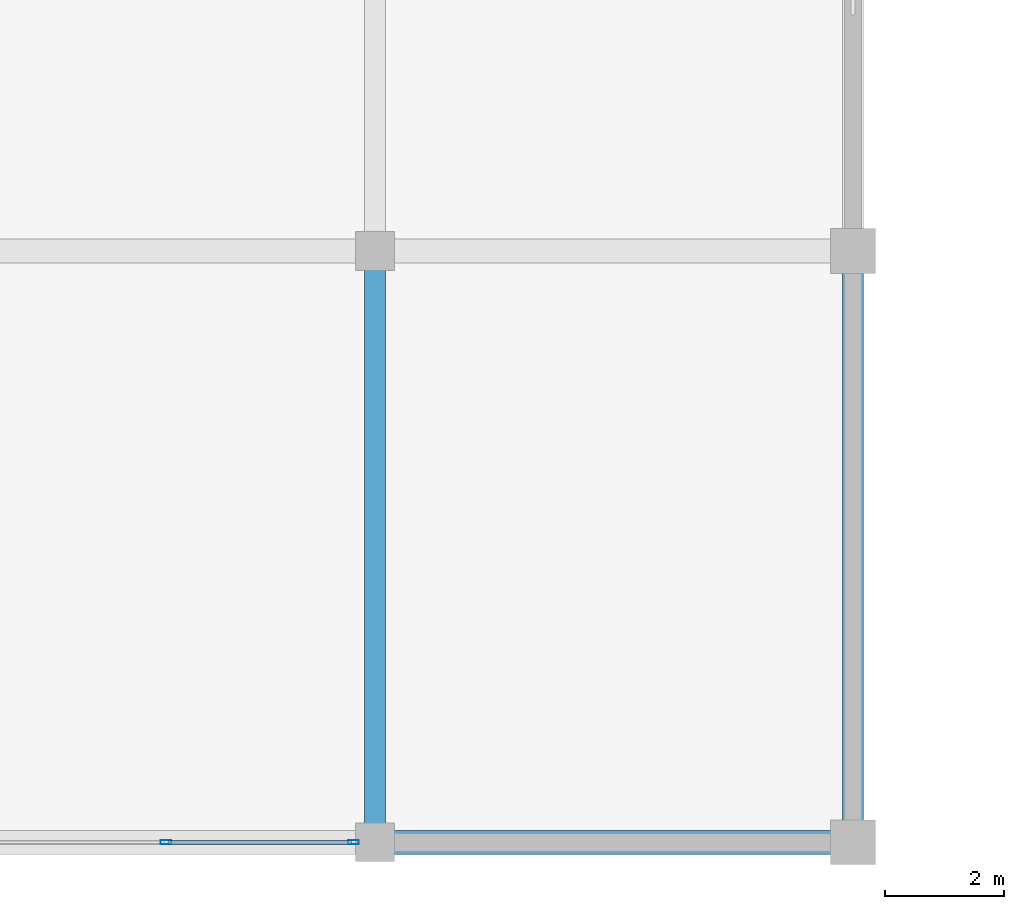
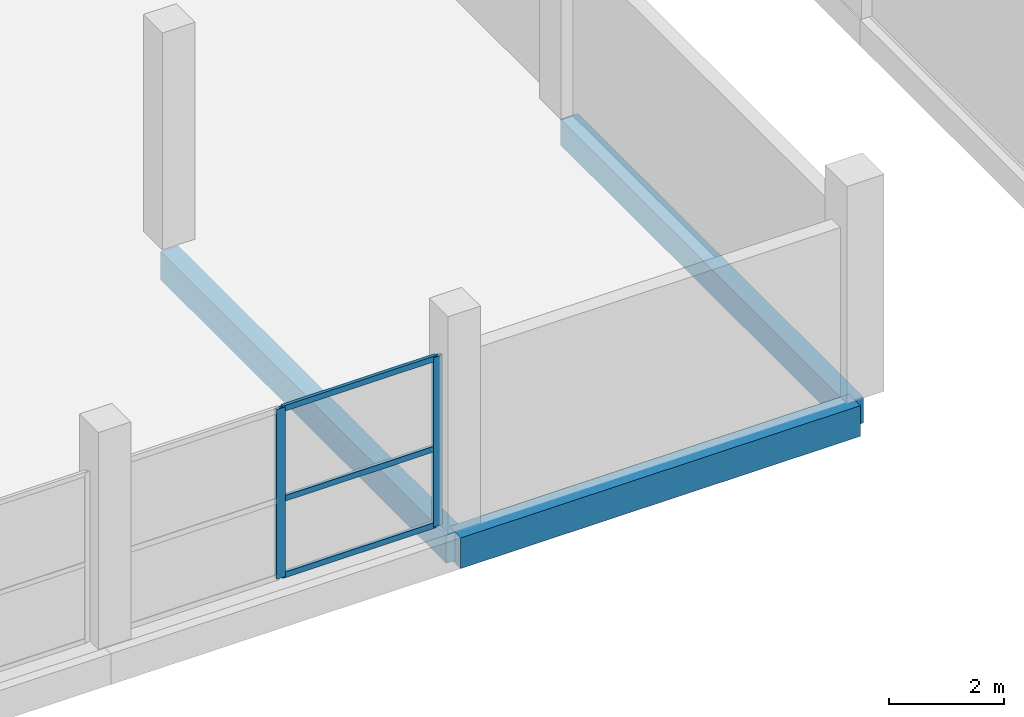
# One storey, part 4 of 69: 5 members, 3 beams, 1 element without a shape of its own.
"""IFC4 building model written with IfcOpenShell, lengths in metres."""

from ifc_helpers import new_model, si_unit, direction, frame, origin, origin_2d, place, context, subcontext, project, spatial, rectangle, hollow_rectangle, extrude, material, layer, layer_set, material_profile, profile_set, type_object, element, aggregate, save


model = new_model("IFC4")

# Units and contexts
model_context = context("Model", 3, precision=1e-05, world=origin(), true_north=direction((0.0, 1.0)))
body_context = subcontext(model_context, "Body", "Model", "MODEL_VIEW")
ifc_project = project(units=[si_unit("LENGTHUNIT", "METRE"), si_unit("AREAUNIT", "SQUARE_METRE"), si_unit("VOLUMEUNIT", "CUBIC_METRE"), si_unit("PLANEANGLEUNIT", "RADIAN"), si_unit("MASSUNIT", "GRAM", prefix="KILO")], contexts=[model_context])

# Site, building, storey
site_placement = place(None, origin())
site = spatial("IfcSite", under=ifc_project, at=site_placement, CompositionType="ELEMENT")
building_placement = place(site_placement, origin())
building = spatial("IfcBuilding", under=site, at=building_placement, Name="Sillaruma Civic Art Gallery", CompositionType="ELEMENT")
storey_placement = place(building_placement, frame((0.0, 0.0, 42.330078125)))
storey = spatial("IfcBuildingStorey", under=building, at=storey_placement, Name="L08", CompositionType="ELEMENT", Elevation=42.330078125)

# Beams
ifc_material_1 = material(Name="Concrete H35 (35 MPa)", Category="concrete")
ifc_material_profile_1 = material_profile(ifc_material_1, rectangle(XDim=0.35009765625, YDim=0.60009765625, at=origin_2d()), Name="RCB350x600")
ifc_profile_set_1 = profile_set([ifc_material_profile_1], Name="Concrete H35 (35 MPa)")
beam_type_1 = type_object("IfcBeamType", Name="BM-BEAM-RCB350x600", PredefinedType="BEAM", material=ifc_profile_set_1)
beam_1_placement = place(storey_placement, frame((84.0, 19.800048828125, -0.580078125), z_axis=(0.0, 1.0, 0.0), x_axis=(-1.0, 0.0, 0.0)))
element("IfcBeam", 1, at=beam_1_placement, inside=storey, type_object=beam_type_1, Name="Beam BM-06 (L07:J:3-4)", PredefinedType="BEAM", context=body_context, shape_type="SweptSolid", body=[
    extrude(rectangle(XDim=0.35009765625, YDim=0.60009765625, at=origin_2d()), origin(), (0.0, 0.0, 1.0), 9.89990234375),
])
ifc_material_profile_2 = material_profile(ifc_material_1, rectangle(XDim=0.35009765625, YDim=0.550048828125, at=origin_2d()), Name="RCB350x550")
ifc_profile_set_2 = profile_set([ifc_material_profile_2], Name="Concrete H35 (35 MPa)")
beam_type_2 = type_object("IfcBeamType", Name="BM-SPANDREL-RCB350x550", PredefinedType="SPANDREL", material=ifc_profile_set_2)
beam_2_placement = place(storey_placement, frame((92.0, 19.800048828125, -0.55517578125), z_axis=(0.0, 1.0, 0.0), x_axis=(-1.0, 0.0, 0.0)))
element("IfcBeam", 2, at=beam_2_placement, inside=storey, type_object=beam_type_2, Name="Beam BS-04 (L07:K:3-4)", PredefinedType="SPANDREL", context=body_context, shape_type="SweptSolid", body=[
    extrude(rectangle(XDim=0.35009765625, YDim=0.550048828125, at=origin_2d()), origin(), (0.0, 0.0, 1.0), 9.89990234375),
])
ifc_material_profile_3 = material_profile(ifc_material_1, rectangle(XDim=0.39990234375, YDim=0.64990234375, at=origin_2d()), Name="RCB400x650")
ifc_profile_set_3 = profile_set([ifc_material_profile_3], Name="Concrete H35 (35 MPa)")
beam_type_3 = type_object("IfcBeamType", Name="BM-SPANDREL-RCB400x650", PredefinedType="SPANDREL", material=ifc_profile_set_3)
beam_3_placement = place(storey_placement, frame((84.0, 19.800048828125, -0.60498046875), z_axis=(1.0, 0.0, 0.0), x_axis=(0.0, 1.0, 0.0)))
element("IfcBeam", 3, at=beam_3_placement, inside=storey, type_object=beam_type_3, Name="Beam BS-02 (L07:3:J-K)", PredefinedType="SPANDREL", context=body_context, shape_type="SweptSolid", body=[
    extrude(rectangle(XDim=0.39990234375, YDim=0.64990234375, at=origin_2d()), origin(), (0.0, 0.0, 1.0), 8.0),
])

# Curtain wall, members
ifc_material_2 = material(Name="Thermally Broken Extruded Aluminium 6063-T6", Category="aluminium")
ifc_layer = layer(ifc_material_2, 0.179931640625, Name="Thermally Broken Extruded Aluminium 6063-T6")
ifc_layer_set = layer_set([ifc_layer], Name="Thermally Broken Extruded Aluminium 6063-T6")
curtain_wall_type = type_object("IfcCurtainWallType", Name="CW-UNI-57", PredefinedType="NOTDEFINED", material=ifc_layer_set)
curtain_wall_placement = place(storey_placement, origin())
curtain_wall = element("IfcCurtainWall", 4, at=curtain_wall_placement, inside=storey, type_object=curtain_wall_type, Name="Unitised Curtain Wall CW-57 (CW-L08-WBS-3)", PredefinedType="NOTDEFINED")
ifc_material_profile_4 = material_profile(ifc_material_2, hollow_rectangle(XDim=0.070068359375, YDim=0.179931640625, WallThickness=0.00390625, at=origin_2d()), Name="CWM70x180")
ifc_profile_set_4 = profile_set([ifc_material_profile_4], Name="Thermally Broken Extruded Aluminium 6063-T6")
member_type_1 = type_object("IfcMemberType", Name="MEM-MUL-CWM70x180", PredefinedType="MULLION", material=ifc_profile_set_4)
member_1_placement = place(storey_placement, frame((80.5, 19.800048828125, 0.0), z_axis=(0.0, 0.0, 1.0), x_axis=(0.0, 1.0, 0.0)))
member_1 = element("IfcMember", 5, at=member_1_placement, type_object=member_type_1, Name="CW-57 mullion 2", PredefinedType="MULLION", context=body_context, shape_type="SweptSolid", body=[
    extrude(hollow_rectangle(XDim=0.070068359375, YDim=0.179931640625, WallThickness=0.00390625, at=origin_2d()), origin(), (0.0, 0.0, 1.0), 3.58984375),
])
member_2_placement = place(storey_placement, frame((83.639892578125, 19.800048828125, 0.0), z_axis=(0.0, 0.0, 1.0), x_axis=(0.0, 1.0, 0.0)))
member_2 = element("IfcMember", 6, at=member_2_placement, type_object=member_type_1, Name="CW-57 mullion 3", PredefinedType="MULLION", context=body_context, shape_type="SweptSolid", body=[
    extrude(hollow_rectangle(XDim=0.070068359375, YDim=0.179931640625, WallThickness=0.00390625, at=origin_2d()), origin(), (0.0, 0.0, 1.0), 3.58984375),
])
ifc_material_profile_5 = material_profile(ifc_material_2, hollow_rectangle(XDim=0.06494140625, YDim=0.1201171875, WallThickness=0.00341796875, at=origin_2d()), Name="CWT65x120")
ifc_profile_set_5 = profile_set([ifc_material_profile_5], Name="Thermally Broken Extruded Aluminium 6063-T6")
member_type_2 = type_object("IfcMemberType", Name="MEM-TRN-CWT65x120", PredefinedType="USERDEFINED", material=ifc_profile_set_5)
member_3_placement = place(storey_placement, frame((80.534912109375, 19.800048828125, 0.032470703125), z_axis=(1.0, 0.0, 0.0), x_axis=(0.0, 1.0, 0.0)))
member_3 = element("IfcMember", 7, at=member_3_placement, type_object=member_type_2, Name="CW-57 transom 2.1", ObjectType="TRANSOM", PredefinedType="USERDEFINED", context=body_context, shape_type="SweptSolid", body=[
    extrude(hollow_rectangle(XDim=0.06494140625, YDim=0.1201171875, WallThickness=0.00341796875, at=origin_2d()), origin(), (0.0, 0.0, 1.0), 3.070068359375),
])
member_4_placement = place(storey_placement, frame((80.534912109375, 19.800048828125, 1.6513671875), z_axis=(1.0, 0.0, 0.0), x_axis=(0.0, 1.0, 0.0)))
member_4 = element("IfcMember", 8, at=member_4_placement, type_object=member_type_2, Name="CW-57 transom 2.2", ObjectType="TRANSOM", PredefinedType="USERDEFINED", context=body_context, shape_type="SweptSolid", body=[
    extrude(hollow_rectangle(XDim=0.06494140625, YDim=0.1201171875, WallThickness=0.00341796875, at=origin_2d()), origin(), (0.0, 0.0, 1.0), 3.070068359375),
])
member_5_placement = place(storey_placement, frame((80.534912109375, 19.800048828125, 3.557373046875), z_axis=(1.0, 0.0, 0.0), x_axis=(0.0, 1.0, 0.0)))
member_5 = element("IfcMember", 9, at=member_5_placement, type_object=member_type_2, Name="CW-57 transom 2.3", ObjectType="TRANSOM", PredefinedType="USERDEFINED", context=body_context, shape_type="SweptSolid", body=[
    extrude(hollow_rectangle(XDim=0.06494140625, YDim=0.1201171875, WallThickness=0.00341796875, at=origin_2d()), origin(), (0.0, 0.0, 1.0), 3.070068359375),
])
aggregate(curtain_wall, [member_1, member_2, member_3, member_4, member_5])

save(model, "model.ifc")
